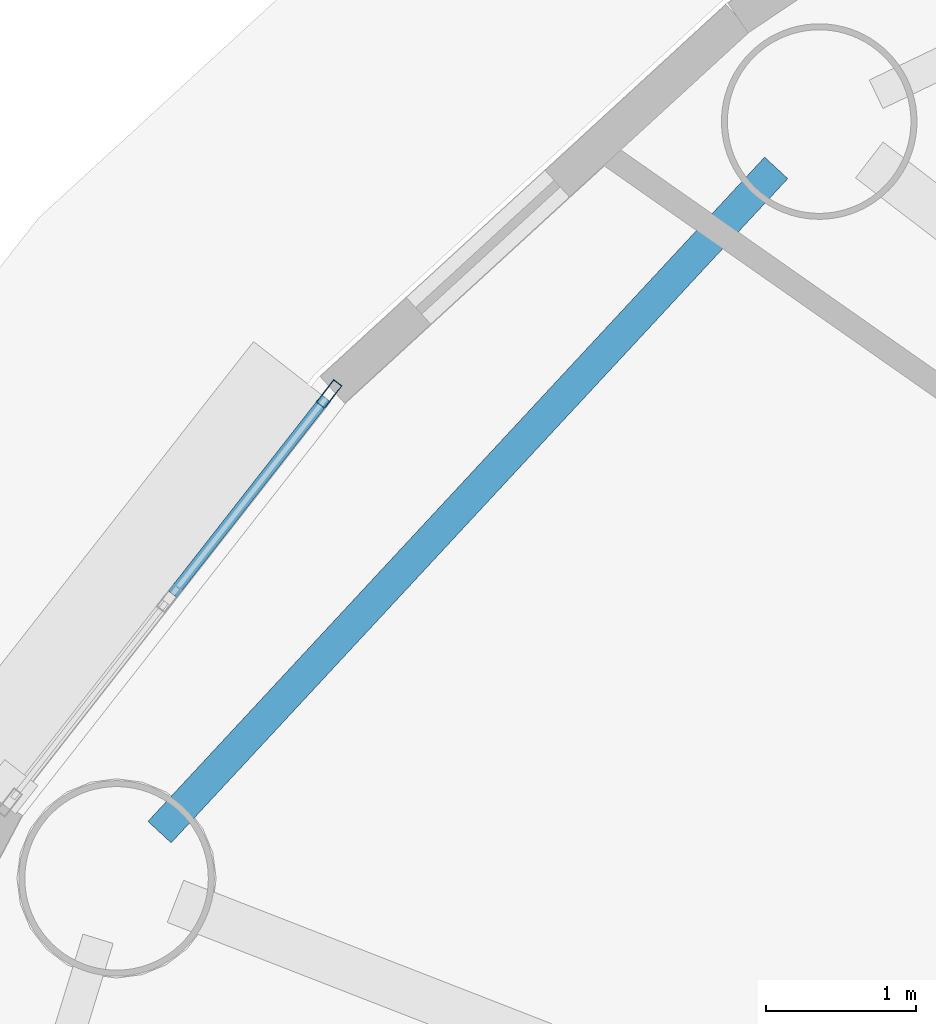
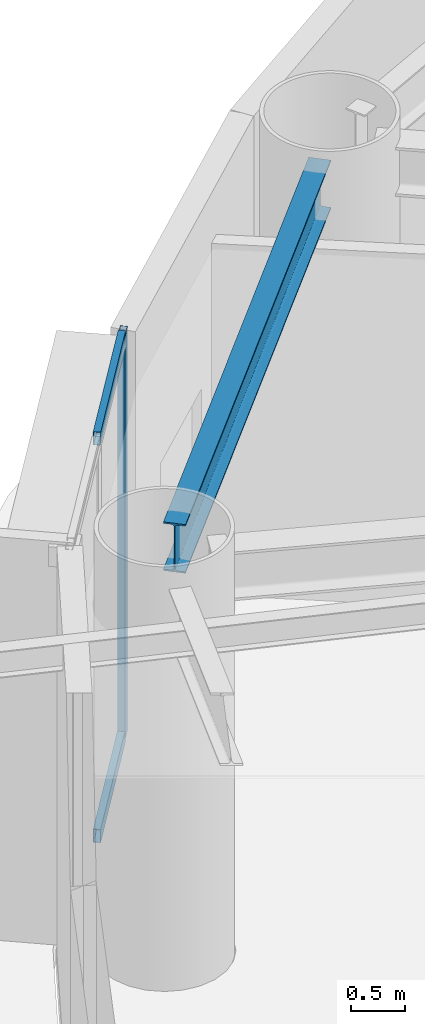
# One storey, part 17 of 38: 3 members, 1 beam, 1 element without a shape of its own.
"""IFC4 building model written with IfcOpenShell, lengths in metres."""

from ifc_helpers import new_model, si_unit, direction, frame, origin, origin_2d, place, context, subcontext, project, spatial, hollow_rectangle, i_section, extrude, source, transform, mapped, material, layer, layer_set, material_profile, profile_set, type_object, element, aggregate, save


model = new_model("IFC4")

# Units and contexts
model_context = context("Model", 3, precision=1e-05, world=origin(), true_north=direction((0.0, 1.0)))
body_context = subcontext(model_context, "Body", "Model", "MODEL_VIEW")
ifc_project = project(units=[si_unit("LENGTHUNIT", "METRE"), si_unit("AREAUNIT", "SQUARE_METRE"), si_unit("VOLUMEUNIT", "CUBIC_METRE"), si_unit("PLANEANGLEUNIT", "RADIAN"), si_unit("MASSUNIT", "GRAM", prefix="KILO")], contexts=[model_context])

# Site, building, storey
site_placement = place(None, origin())
site = spatial("IfcSite", under=ifc_project, at=site_placement, CompositionType="ELEMENT")
building_placement = place(site_placement, origin())
building = spatial("IfcBuilding", under=site, at=building_placement, Name="Linh Dai School and Residence Tower", CompositionType="ELEMENT")
storey_placement = place(building_placement, frame((0.0, 0.0, 151.35009765625)))
storey = spatial("IfcBuildingStorey", under=building, at=storey_placement, Name="L36", CompositionType="ELEMENT", Elevation=151.35009765625)

# Beam
ifc_material_1 = material(Name="Structural Steel S355JR", Category="steel")
ifc_material_profile_1 = material_profile(ifc_material_1, i_section(OverallWidth=0.2099609375, OverallDepth=0.550048828125, WebThickness=0.010986328125, FlangeThickness=0.01708984375, FilletRadius=0.02392578125, at=origin_2d()), Name="IPE 550")
ifc_profile_set_1 = profile_set([ifc_material_profile_1], Name="Structural Steel S355JR")
beam_type = type_object("IfcBeamType", Name="BM-RB55", PredefinedType="BEAM", material=ifc_profile_set_1)
beam_placement = place(storey_placement, frame((17.521728515625, 40.6337890625, 4.27490234375), z_axis=(-0.680378035197, -0.732861330145, 0.0), x_axis=(0.732861330145, -0.680378035197, 0.0)))
element("IfcBeam", 1, at=beam_placement, inside=storey, type_object=beam_type, Name="L36 Perimeter Elliptical Ring Beam 07", PredefinedType="BEAM", context=body_context, shape_type="SweptSolid", body=[
    extrude(i_section(OverallWidth=0.2099609375, OverallDepth=0.550048828125, WebThickness=0.010986328125, FlangeThickness=0.01708984375, FilletRadius=0.02392578125, at=origin_2d()), origin(), (0.0, 0.0, 1.0), 6.024169921875),
])

# Curtain wall, members
ifc_material_2 = material(Name="Aluminium Anodised Curtain Wall", Category="aluminium")
ifc_layer = layer(ifc_material_2, 0.18994140625)
ifc_layer_set = layer_set([ifc_layer], Name="Aluminium Anodised Curtain Wall")
curtain_wall_type = type_object("IfcCurtainWallType", Name="CW-SYS-5", PredefinedType="USERDEFINED", material=ifc_layer_set)
curtain_wall_placement = place(storey_placement, origin())
curtain_wall = element("IfcCurtainWall", 2, at=curtain_wall_placement, inside=storey, type_object=curtain_wall_type, Name="L36 CW5 Curtain Wall 17", ObjectType="UNITISED CURTAIN WALL", PredefinedType="USERDEFINED")
ifc_material_3 = material(Name="Aluminium Alloy 6063-T6", Category="aluminium")
ifc_material_profile_2 = material_profile(ifc_material_3, hollow_rectangle(XDim=0.070068359375, YDim=0.18994140625, WallThickness=0.00390625, at=origin_2d()), Name="RHS 190x70x4")
ifc_profile_set_2 = profile_set([ifc_material_profile_2], Name="Aluminium Alloy 6063-T6")
member_type_1 = type_object("IfcMemberType", Name="CW-SYS-5-MUL", PredefinedType="MULLION", material=ifc_profile_set_2)
shared_shape_1 = source(origin(), body_context, "Body", "SweptSolid", [
    extrude(hollow_rectangle(XDim=0.070068359375, YDim=0.18994140625, WallThickness=0.00390625, at=origin_2d()), origin(), (0.0, 0.0, 1.0), 4.5498046875),
])
member_1_placement = place(storey_placement, frame((14.55029296875, 39.131103515625, 0.0), z_axis=(0.0, 0.0, 1.0), x_axis=(-0.787522158319, 0.616286337798, 0.0)))
member_1 = element("IfcMember", 3, at=member_1_placement, type_object=member_type_1, Name="CW5 mullion 3", PredefinedType="MULLION", context=body_context, shape_type="MappedRepresentation", body=[
    mapped(shared_shape_1, transform((0.0, 0.0, 0.0), x_axis=(1.0, 0.0, 0.0), y_axis=(0.0, 1.0, 0.0), z_axis=(0.0, 0.0, 1.0), scale=1.0)),
])
ifc_material_profile_3 = material_profile(ifc_material_3, hollow_rectangle(XDim=0.070068359375, YDim=0.14990234375, WallThickness=0.00390625, at=origin_2d()), Name="RHS 150x70x4")
ifc_profile_set_3 = profile_set([ifc_material_profile_3], Name="Aluminium Alloy 6063-T6")
member_type_2 = type_object("IfcMemberType", Name="CW-SYS-5-TRN", PredefinedType="USERDEFINED", material=ifc_profile_set_3)
shared_shape_2 = source(origin(), body_context, "Body", "SweptSolid", [
    extrude(hollow_rectangle(XDim=0.070068359375, YDim=0.14990234375, WallThickness=0.00390625, at=origin_2d()), origin(), (0.0, 0.0, 1.0), 1.65380859375),
])
member_2_placement = place(storey_placement, frame((13.509521484375, 37.801025390625, 0.034912109375), z_axis=(0.616196799389, 0.787592219631, 0.0), x_axis=(-0.787592219631, 0.616196799389, 0.0)))
member_2 = element("IfcMember", 4, at=member_2_placement, type_object=member_type_2, Name="CW5 transom 2.1", ObjectType="TRANSOM", PredefinedType="USERDEFINED", context=body_context, shape_type="MappedRepresentation", body=[
    mapped(shared_shape_2, transform((0.0, 0.0, 0.0), x_axis=(1.0, 0.0, 0.0), y_axis=(0.0, 1.0, 0.0), z_axis=(0.0, 0.0, 1.0), scale=1.0)),
])
member_3_placement = place(storey_placement, frame((13.509521484375, 37.801025390625, 4.514892578125), z_axis=(0.616196799389, 0.787592219631, 0.0), x_axis=(-0.787592219631, 0.616196799389, 0.0)))
member_3 = element("IfcMember", 5, at=member_3_placement, type_object=member_type_2, Name="CW5 transom 2.2", ObjectType="TRANSOM", PredefinedType="USERDEFINED", context=body_context, shape_type="MappedRepresentation", body=[
    mapped(shared_shape_2, transform((0.0, 0.0, 0.0), x_axis=(1.0, 0.0, 0.0), y_axis=(0.0, 1.0, 0.0), z_axis=(0.0, 0.0, 1.0), scale=1.0)),
])
aggregate(curtain_wall, [member_1, member_2, member_3])

save(model, "model.ifc")
